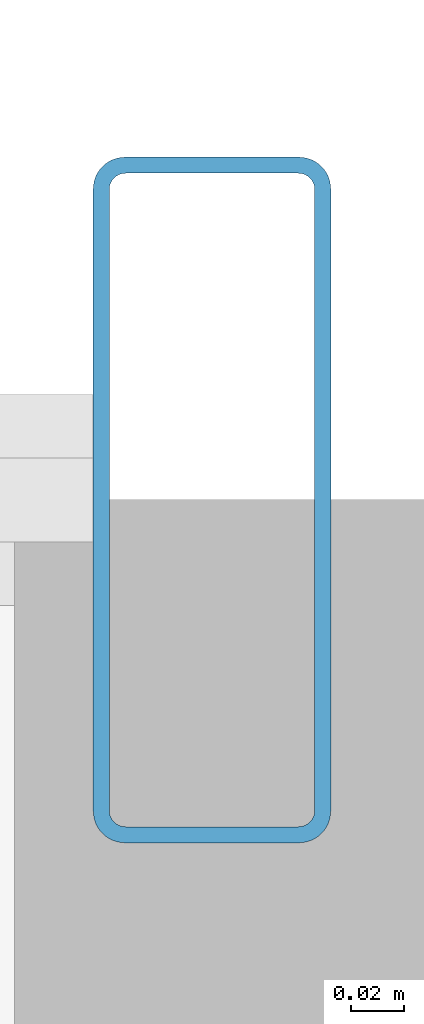
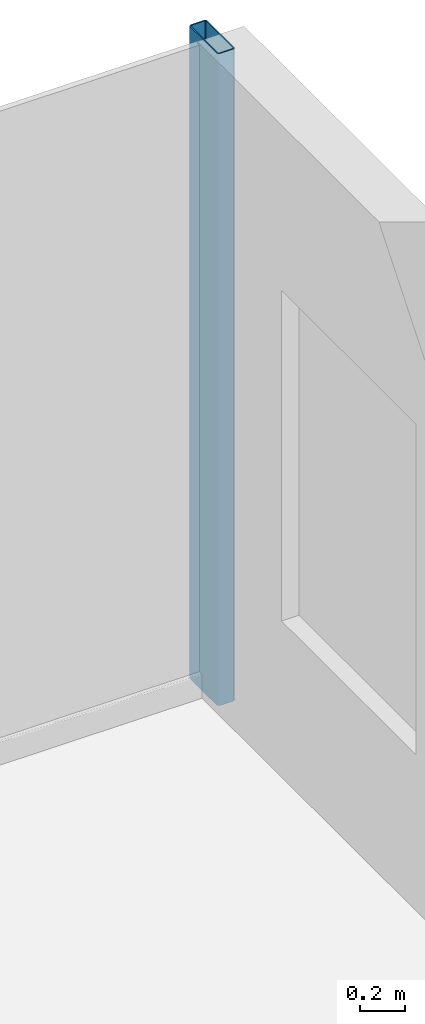
# One storey, part 14 of 26: 1 member, 1 element without a shape of its own.
"""IFC4 building model written with IfcOpenShell, lengths in metres."""

from ifc_helpers import new_model, si_unit, direction, frame, origin, origin_2d, place, context, subcontext, project, spatial, hollow_rectangle, extrude, source, transform, mapped, material, layer, layer_set, material_profile, profile_set, type_object, element, aggregate, save


model = new_model("IFC4")

# Units and contexts
model_context = context("Model", 3, precision=1e-05, world=origin(), true_north=direction((0.0, 1.0)))
body_context = subcontext(model_context, "Body", "Model", "MODEL_VIEW")
ifc_project = project(units=[si_unit("LENGTHUNIT", "METRE"), si_unit("AREAUNIT", "SQUARE_METRE"), si_unit("VOLUMEUNIT", "CUBIC_METRE"), si_unit("PLANEANGLEUNIT", "RADIAN"), si_unit("MASSUNIT", "GRAM", prefix="KILO")], contexts=[model_context])

# Site, building, storey
site_placement = place(None, origin())
site = spatial("IfcSite", under=ifc_project, at=site_placement, CompositionType="ELEMENT")
building_placement = place(site_placement, origin())
building = spatial("IfcBuilding", under=site, at=building_placement, Name="Nefas-Gora Pilgrimage Tower", CompositionType="ELEMENT")
storey_placement = place(building_placement, frame((0.0, 0.0, 40.60009765625)))
storey = spatial("IfcBuildingStorey", under=building, at=storey_placement, Name="L08", CompositionType="ELEMENT", Elevation=40.60009765625)

# Curtain wall, member
ifc_material_1 = material(Name="Dark ceramic-fritted solar-control aluminium-glass curtain wall", Category="aluminium")
ifc_layer = layer(ifc_material_1, 0.219970703125)
ifc_layer_set = layer_set([ifc_layer], Name="Dark ceramic-fritted solar-control aluminium-glass curtain wall")
curtain_wall_type = type_object("IfcCurtainWallType", Name="CW-SYS-2", PredefinedType="NOTDEFINED", material=ifc_layer_set)
curtain_wall_placement = place(storey_placement, origin())
curtain_wall = element("IfcCurtainWall", 1, at=curtain_wall_placement, inside=storey, type_object=curtain_wall_type, Name="L08 Unitised Curtain Wall CW2", PredefinedType="NOTDEFINED")
ifc_material_2 = material(Name="Anodised architectural aluminium", Category="aluminium")
ifc_material_profile = material_profile(ifc_material_2, hollow_rectangle(XDim=0.090087890625, YDim=0.260009765625, WallThickness=0.006103515625, InnerFilletRadius=0.006103515625, OuterFilletRadius=0.011962890625, at=origin_2d()), Name="ALU MULLION 90x260")
ifc_profile_set = profile_set([ifc_material_profile], Name="Anodised architectural aluminium")
member_type = type_object("IfcMemberType", Name="CWM-MUL-2", PredefinedType="MULLION", material=ifc_profile_set)
shared_shape = source(origin(), body_context, "Body", "SweptSolid", [
    extrude(hollow_rectangle(XDim=0.090087890625, YDim=0.260009765625, WallThickness=0.006103515625, InnerFilletRadius=0.006103515625, OuterFilletRadius=0.011962890625, at=origin_2d()), origin(), (0.0, 0.0, 1.0), 3.5498046875),
])
member_placement = place(storey_placement, frame((28.824951171875, 23.02001953125, 0.0), z_axis=(0.0, 0.0, 1.0), x_axis=(-1.0, 0.0, 0.0)))
member = element("IfcMember", 2, at=member_placement, type_object=member_type, Name="CW2 Mullion 1", PredefinedType="MULLION", context=body_context, shape_type="MappedRepresentation", body=[
    mapped(shared_shape, transform((0.0, 0.0, 0.0), x_axis=(1.0, 0.0, 0.0), y_axis=(0.0, 1.0, 0.0), z_axis=(0.0, 0.0, 1.0), scale=1.0)),
])
aggregate(curtain_wall, [member])

save(model, "model.ifc")
